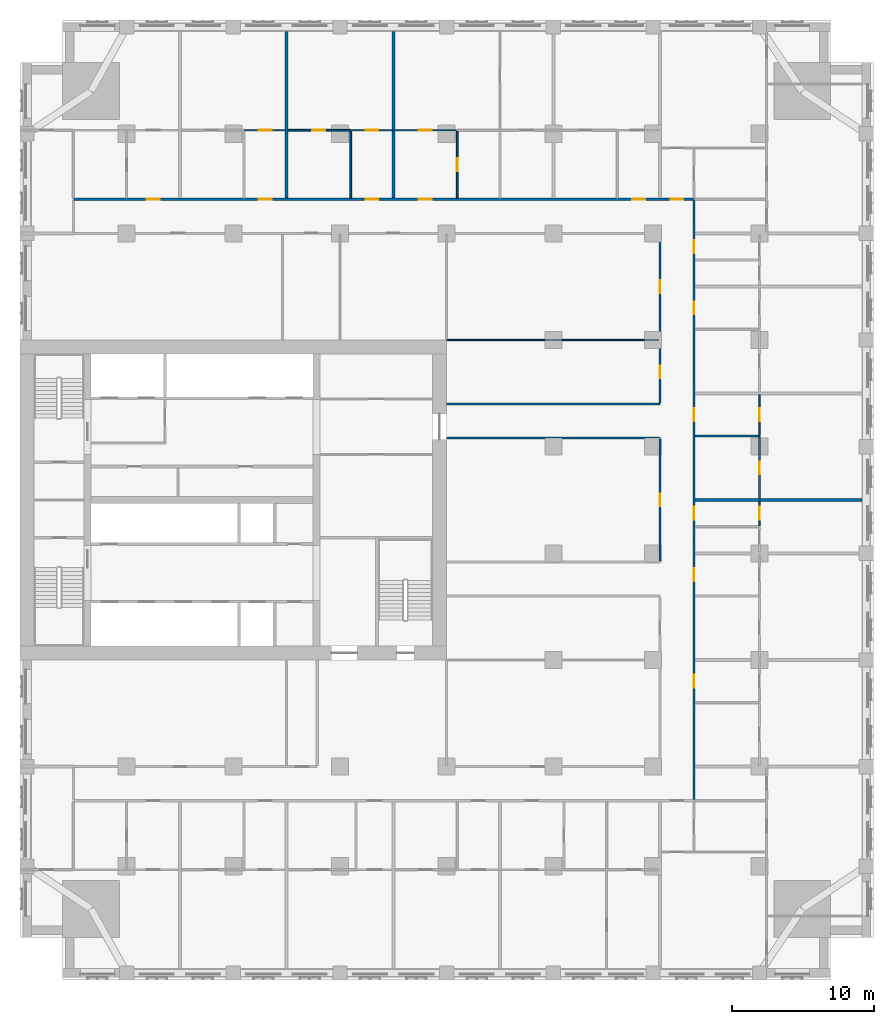
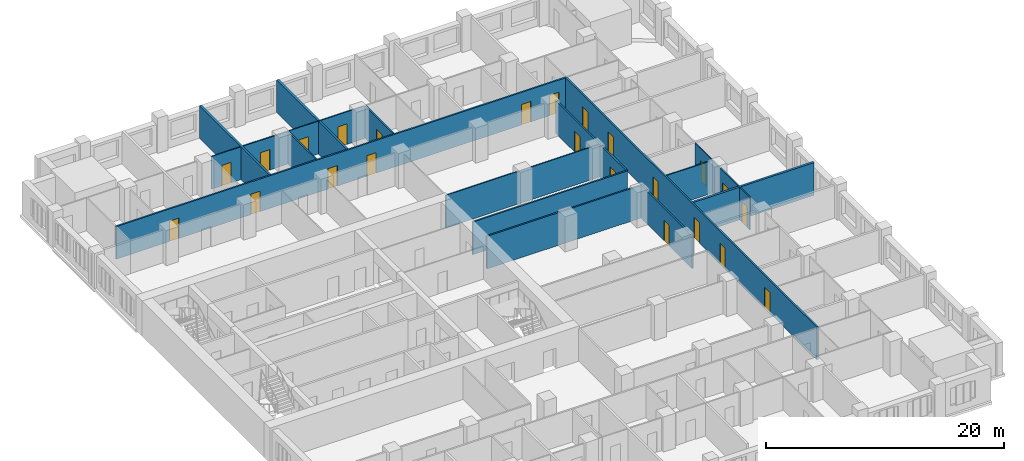
# One storey, part 9 of 14: 23 doors, 19 walls, 23 openings.
"""IFC4 building model written with IfcOpenShell, lengths in metres."""

import ifcopenshell
import ifcopenshell.guid

model = None  # the IFC model being written
_history = None  # IfcOwnerHistory: only IFC2X3 demands one
_inside = {}  # id of a spatial element -> (the spatial element, [elements in it])
_under = {}  # id of a project, library or spatial element -> (it, [spatial elements below it])
_declared = {}  # id of a project -> (the project, [libraries it declares])
_typed = {}  # id of a type object -> (the type object, [elements of that type])
_made_of = {}  # id of a material, layer set ... -> (it, [elements and type objects made of it])


def new_model(schema):
    """Start an empty IFC model of exactly this schema.

    Asked for "IFC4X3", IfcOpenShell would pick the latest addendum, in which some entities
    have other attributes; the version numbers below select the first issue.
    IFC2X3 requires an IfcOwnerHistory on every rooted entity: one is made here for all.
    """
    global model, _history
    if schema == "IFC4X3":
        model = ifcopenshell.file(schema_version=(4, 3, 0, 0))
    else:
        model = ifcopenshell.file(schema=schema)
    _inside.clear()
    _under.clear()
    _declared.clear()
    _typed.clear()
    _made_of.clear()
    _history = None
    if model.schema == "IFC2X3":
        org = make("IfcOrganization", Name="unknown")
        user = make(
            "IfcPersonAndOrganization",
            ThePerson=make("IfcPerson", FamilyName="unknown"),
            TheOrganization=org,
        )
        app = make(
            "IfcApplication",
            ApplicationDeveloper=org,
            Version="unknown",
            ApplicationFullName="unknown",
            ApplicationIdentifier="unknown",
        )
        _history = make(
            "IfcOwnerHistory",
            OwningUser=user,
            OwningApplication=app,
            ChangeAction="ADDED",
            CreationDate=0,
        )
    return model


def make(cls, **values):
    """One entity of the class cls with the attributes given. An attribute that is None is left unset."""
    return model.create_entity(
        cls, **{name: value for name, value in values.items() if value is not None}
    )


def rooted(cls, **values):
    """An entity with a GlobalId (a new one), such as an element, a storey or a relation."""
    return make(cls, GlobalId=ifcopenshell.guid.new(), OwnerHistory=_history, **values)


def si_unit(unit_type, name, prefix=None):
    """IfcSIUnit, for example si_unit("LENGTHUNIT", "METRE", prefix="MILLI")."""
    return make("IfcSIUnit", UnitType=unit_type, Prefix=prefix, Name=name)


def assignment(units):
    """IfcUnitAssignment: the units of a project."""
    return None if units is None else make("IfcUnitAssignment", Units=units)


def point(xyz):
    """IfcCartesianPoint."""
    return None if xyz is None else make("IfcCartesianPoint", Coordinates=xyz)


def direction(xyz):
    """IfcDirection."""
    return None if xyz is None else make("IfcDirection", DirectionRatios=xyz)


def frame(location, z_axis=None, x_axis=None):
    """IfcAxis2Placement3D, a coordinate frame: its origin and axes. An axis left out is left unset."""
    return make(
        "IfcAxis2Placement3D",
        Location=point(location),
        Axis=direction(z_axis),
        RefDirection=direction(x_axis),
    )


def frame_2d(location, x_axis=None):
    """IfcAxis2Placement2D, a coordinate frame in the plane: its origin and x axis."""
    return make(
        "IfcAxis2Placement2D", Location=point(location), RefDirection=direction(x_axis)
    )


def origin():
    """The frame at (0, 0, 0) with its axes left unset."""
    return frame((0.0, 0.0, 0.0))


def place(relative_to, where):
    """IfcLocalPlacement: puts the frame where relative to a parent placement (None: the world)."""
    return make(
        "IfcLocalPlacement", PlacementRelTo=relative_to, RelativePlacement=where
    )


def context(
    kind, dimensions, precision=None, world=None, true_north=None, identifier=None
):
    """IfcGeometricRepresentationContext, for example the 3D "Model" context."""
    return make(
        "IfcGeometricRepresentationContext",
        ContextIdentifier=identifier,
        ContextType=kind,
        CoordinateSpaceDimension=dimensions,
        Precision=precision,
        WorldCoordinateSystem=world,
        TrueNorth=true_north,
    )


def subcontext(parent, identifier, kind, view, scale=None):
    """IfcGeometricRepresentationSubContext, for example "Body" below "Model"."""
    return make(
        "IfcGeometricRepresentationSubContext",
        ContextIdentifier=identifier,
        ContextType=kind,
        ParentContext=parent,
        TargetScale=scale,
        TargetView=view,
    )


def project(units=None, contexts=None):
    """IfcProject with its units and contexts."""
    return rooted(
        "IfcProject",
        Name="project",
        RepresentationContexts=contexts,
        UnitsInContext=assignment(units),
    )


def spatial(cls, under=None, at=None, **own):
    """A site, building, storey or space (cls), placed at a placement, below another one or the project."""
    s = rooted(cls, ObjectPlacement=at, **own)
    if under is not None:
        _under.setdefault(under.id(), (under, []))[1].append(s)
    return s


def profile(cls, at=None, kind="AREA", **sizes):
    """A parametric profile (cls). Its sizes go by their IFC names, for example OverallWidth=200.0."""
    return make(cls, ProfileType=kind, Position=at, **sizes)


def rectangle(**sizes):
    """IfcRectangleProfileDef."""
    return profile("IfcRectangleProfileDef", **sizes)


def extrude(swept, where, along, depth):
    """IfcExtrudedAreaSolid: the profile swept, set in the frame where, extruded along a direction by depth."""
    return make(
        "IfcExtrudedAreaSolid",
        SweptArea=swept,
        Position=where,
        ExtrudedDirection=direction(along),
        Depth=depth,
    )


def shape(context_of_items, identifier, shape_type, items):
    """IfcShapeRepresentation: the items that make up one representation, for example the "Body"."""
    return make(
        "IfcShapeRepresentation",
        ContextOfItems=context_of_items,
        RepresentationIdentifier=identifier,
        RepresentationType=shape_type,
        Items=items,
    )


def material(Name=None, Category=None):
    """IfcMaterial."""
    return make("IfcMaterial", Name=Name, Category=Category)


def layer(
    of_material, thickness, ventilated=None, Name=None, Category=None, Priority=None
):
    """IfcMaterialLayer: one layer of a wall or slab, of a material (None: an air gap)."""
    return make(
        "IfcMaterialLayer",
        Material=of_material,
        LayerThickness=thickness,
        IsVentilated=ventilated,
        Name=Name,
        Category=Category,
        Priority=Priority,
    )


def layer_set(layers, Name=None):
    """IfcMaterialLayerSet."""
    return make("IfcMaterialLayerSet", MaterialLayers=layers, LayerSetName=Name)


def made_of(thing, what):
    """Note that an element or type object is made of a material, layer set ...; save() writes the relation."""
    if what is not None:
        _made_of.setdefault(what.id(), (what, []))[1].append(thing)
    return thing


def type_object(cls, material=None, **own):
    """A type object (cls), such as IfcWallType, which elements share."""
    return made_of(rooted(cls, **own), material)


def element(
    cls,
    number,
    at=None,
    inside=None,
    cuts=None,
    type_object=None,
    material=None,
    context=None,
    identifier="Body",
    shape_type=None,
    held_by="IfcProductDefinitionShape",
    body=None,
    shapes=None,
    **own,
):
    """One element of the class cls, such as IfcWall. Its Tag is "e" and its number.

    at: its placement. inside: the storey or other place that contains it. cuts: it is an
    opening in that element (IfcRelVoidsElement). A single representation is given by context,
    identifier, shape_type and body (its items); several are given by shapes. held_by: the class
    of the entity that holds the representations. save() writes the other relations.
    """
    e = rooted(cls, Tag="e%d" % number, ObjectPlacement=at, **own)
    if body is not None:
        shapes = [shape(context, identifier, shape_type, body)]
    if shapes is not None:
        e.Representation = make(held_by, Representations=shapes)
    if inside is not None:
        _inside.setdefault(inside.id(), (inside, []))[1].append(e)
    if cuts is not None:
        rooted(
            "IfcRelVoidsElement", RelatingBuildingElement=cuts, RelatedOpeningElement=e
        )
    if type_object is not None:
        _typed.setdefault(type_object.id(), (type_object, []))[1].append(e)
    return made_of(e, material)


def fill(opening, filler):
    """IfcRelFillsElement: the door or window that sits in an opening."""
    return rooted(
        "IfcRelFillsElement",
        RelatingOpeningElement=opening,
        RelatedBuildingElement=filler,
    )


def aggregate(whole, parts):
    """IfcRelAggregates: a whole, such as a stair, and the parts it consists of."""
    return rooted("IfcRelAggregates", RelatingObject=whole, RelatedObjects=parts)


def save(model, path):
    """Write the relations noted so far, then the file.

    IfcRelAggregates (storeys below a building ...), IfcRelContainedInSpatialStructure (elements
    in a storey), IfcRelDefinesByType, IfcRelAssociatesMaterial and IfcRelDeclares: one each for
    every whole, place, type object, material and project.
    """
    for whole, parts in _under.values():
        aggregate(whole, parts)
    for where, things in _inside.values():
        rooted(
            "IfcRelContainedInSpatialStructure",
            RelatedElements=things,
            RelatingStructure=where,
        )
    for kind, things in _typed.values():
        rooted("IfcRelDefinesByType", RelatedObjects=things, RelatingType=kind)
    for what, things in _made_of.values():
        rooted("IfcRelAssociatesMaterial", RelatedObjects=things, RelatingMaterial=what)
    for by, libraries in _declared.values():
        rooted("IfcRelDeclares", RelatingContext=by, RelatedDefinitions=libraries)
    model.write(path)


model = new_model("IFC4")

# Units and contexts
model_context = context("Model", 3, precision=1e-05, world=origin(), true_north=direction((0.0, 1.0)))
body_context = subcontext(model_context, "Body", "Model", "MODEL_VIEW")
ifc_project = project(units=[si_unit("LENGTHUNIT", "METRE"), si_unit("AREAUNIT", "SQUARE_METRE"), si_unit("VOLUMEUNIT", "CUBIC_METRE"), si_unit("PLANEANGLEUNIT", "RADIAN"), si_unit("MASSUNIT", "GRAM", prefix="KILO")], contexts=[model_context])

# Site, building, storey
site_placement = place(None, origin())
site = spatial("IfcSite", under=ifc_project, at=site_placement, CompositionType="ELEMENT")
building_placement = place(site_placement, origin())
building = spatial("IfcBuilding", under=site, at=building_placement, Name="Tamorin Gate", CompositionType="ELEMENT")
storey_placement = place(building_placement, frame((0.0, 0.0, 37.60009765625)))
storey = spatial("IfcBuildingStorey", under=building, at=storey_placement, Name="L07", CompositionType="ELEMENT", Elevation=37.60009765625)

# Wall, openings, doors
ifc_material_1 = material(Name="Gypsum board partition")
ifc_layer_1 = layer(ifc_material_1, 0.14990234375)
ifc_layer_set_1 = layer_set([ifc_layer_1], Name="Corridor wall 150")
wall_type_1 = type_object("IfcWallType", Name="Corridor wall 150", PredefinedType="PARTITIONING", material=ifc_layer_set_1)
wall_1_placement = place(storey_placement, frame((33.75, 92.39990234375, 0.0), z_axis=(0.0, 0.0, 1.0), x_axis=(1.0, 0.0, 0.0)))
wall_1 = element("IfcWall", 1, at=wall_1_placement, inside=storey, type_object=wall_type_1, Name="Corridor wall 150", PredefinedType="PARTITIONING", context=body_context, shape_type="SweptSolid", body=[
    extrude(rectangle(XDim=43.64990234375, YDim=0.14990234375, at=frame_2d((21.824951171875, 0.0))), origin(), (0.0, 0.0, 1.0), 3.349853515625),
])
opening_1_placement = place(wall_1_placement, frame((5.175048828125, 0.0, 0.0)))
opening_1 = element("IfcOpeningElement", 2, at=opening_1_placement, cuts=wall_1, Name="Opening DH2021", PredefinedType="OPENING", context=body_context, shape_type="SweptSolid", body=[
    extrude(rectangle(XDim=0.89990234375, YDim=2.10009765625, at=frame_2d((0.449951171875, 1.050048828125))), frame((0.0, 0.0849609375, 0.0), z_axis=(0.0, -1.0, 0.0), x_axis=(1.0, 0.0, 0.0)), (0.0, 0.0, 1.0), 0.169921875),
])
opening_2_placement = place(wall_1_placement, frame((13.050048828125, 0.0, 0.0)))
opening_2 = element("IfcOpeningElement", 3, at=opening_2_placement, cuts=wall_1, Name="Opening DH2024", PredefinedType="OPENING", context=body_context, shape_type="SweptSolid", body=[
    extrude(rectangle(XDim=0.89990234375, YDim=2.10009765625, at=frame_2d((0.449951171875, 1.050048828125))), frame((0.0, 0.0849609375, 0.0), z_axis=(0.0, -1.0, 0.0), x_axis=(1.0, 0.0, 0.0)), (0.0, 0.0, 1.0), 0.169921875),
])
opening_3_placement = place(wall_1_placement, frame((20.550048828125, 0.0, 0.0)))
opening_3 = element("IfcOpeningElement", 4, at=opening_3_placement, cuts=wall_1, Name="Opening DH2027", PredefinedType="OPENING", context=body_context, shape_type="SweptSolid", body=[
    extrude(rectangle(XDim=0.89990234375, YDim=2.10009765625, at=frame_2d((0.449951171875, 1.050048828125))), frame((0.0, 0.0849609375, 0.0), z_axis=(0.0, -1.0, 0.0), x_axis=(1.0, 0.0, 0.0)), (0.0, 0.0, 1.0), 0.169921875),
])
opening_4_placement = place(wall_1_placement, frame((24.300048828125, 0.0, 0.0)))
opening_4 = element("IfcOpeningElement", 5, at=opening_4_placement, cuts=wall_1, Name="Opening DH2029", PredefinedType="OPENING", context=body_context, shape_type="SweptSolid", body=[
    extrude(rectangle(XDim=0.89990234375, YDim=2.10009765625, at=frame_2d((0.449951171875, 1.050048828125))), frame((0.0, 0.0849609375, 0.0), z_axis=(0.0, -1.0, 0.0), x_axis=(1.0, 0.0, 0.0)), (0.0, 0.0, 1.0), 0.169921875),
])
opening_5_placement = place(wall_1_placement, frame((39.300048828125, 0.0, 0.0)))
opening_5 = element("IfcOpeningElement", 6, at=opening_5_placement, cuts=wall_1, Name="Opening DH2035", PredefinedType="OPENING", context=body_context, shape_type="SweptSolid", body=[
    extrude(rectangle(XDim=0.89990234375, YDim=2.10009765625, at=frame_2d((0.449951171875, 1.050048828125))), frame((0.0, 0.0849609375, 0.0), z_axis=(0.0, -1.0, 0.0), x_axis=(1.0, 0.0, 0.0)), (0.0, 0.0, 1.0), 0.169921875),
])
opening_6_placement = place(wall_1_placement, frame((42.0, 0.0, 0.0)))
opening_6 = element("IfcOpeningElement", 7, at=opening_6_placement, cuts=wall_1, Name="Opening DH2061", PredefinedType="OPENING", context=body_context, shape_type="SweptSolid", body=[
    extrude(rectangle(XDim=0.89990234375, YDim=2.10009765625, at=frame_2d((0.449951171875, 1.050048828125))), frame((0.0, 0.0849609375, 0.0), z_axis=(0.0, -1.0, 0.0), x_axis=(1.0, 0.0, 0.0)), (0.0, 0.0, 1.0), 0.169921875),
])
ifc_material_2 = material(Name="Timber door leaf", Category="wood")
door_type_1 = type_object("IfcDoorType", Name="Door 900 x 2100 FD30S", OperationType="NOTDEFINED", PredefinedType="DOOR", material=ifc_material_2)
door_1_placement = place(opening_1_placement, origin())
door_1 = element("IfcDoor", 8, at=door_1_placement, inside=storey, type_object=door_type_1, Name="Door DH2021", OperationType="SINGLE_SWING_LEFT", OverallHeight=2.10009765625, OverallWidth=0.89990234375, PredefinedType="DOOR", context=body_context, shape_type="SweptSolid", body=[
    extrude(rectangle(XDim=0.89990234375, YDim=2.10009765625, at=frame_2d((0.449951171875, 1.050048828125))), frame((0.0, 0.02490234375, 0.0), z_axis=(0.0, -1.0, 0.0), x_axis=(1.0, 0.0, 0.0)), (0.0, 0.0, 1.0), 0.050048828125),
])
fill(opening_1, door_1)
door_2_placement = place(opening_2_placement, origin())
door_2 = element("IfcDoor", 9, at=door_2_placement, inside=storey, type_object=door_type_1, Name="Door DH2024", OperationType="SINGLE_SWING_LEFT", OverallHeight=2.10009765625, OverallWidth=0.89990234375, PredefinedType="DOOR", context=body_context, shape_type="SweptSolid", body=[
    extrude(rectangle(XDim=0.89990234375, YDim=2.10009765625, at=frame_2d((0.449951171875, 1.050048828125))), frame((0.0, 0.02490234375, 0.0), z_axis=(0.0, -1.0, 0.0), x_axis=(1.0, 0.0, 0.0)), (0.0, 0.0, 1.0), 0.050048828125),
])
fill(opening_2, door_2)
door_3_placement = place(opening_3_placement, origin())
door_3 = element("IfcDoor", 10, at=door_3_placement, inside=storey, type_object=door_type_1, Name="Door DH2027", OperationType="SINGLE_SWING_LEFT", OverallHeight=2.10009765625, OverallWidth=0.89990234375, PredefinedType="DOOR", context=body_context, shape_type="SweptSolid", body=[
    extrude(rectangle(XDim=0.89990234375, YDim=2.10009765625, at=frame_2d((0.449951171875, 1.050048828125))), frame((0.0, 0.02490234375, 0.0), z_axis=(0.0, -1.0, 0.0), x_axis=(1.0, 0.0, 0.0)), (0.0, 0.0, 1.0), 0.050048828125),
])
fill(opening_3, door_3)
door_4_placement = place(opening_4_placement, origin())
door_4 = element("IfcDoor", 11, at=door_4_placement, inside=storey, type_object=door_type_1, Name="Door DH2029", OperationType="SINGLE_SWING_LEFT", OverallHeight=2.10009765625, OverallWidth=0.89990234375, PredefinedType="DOOR", context=body_context, shape_type="SweptSolid", body=[
    extrude(rectangle(XDim=0.89990234375, YDim=2.10009765625, at=frame_2d((0.449951171875, 1.050048828125))), frame((0.0, 0.02490234375, 0.0), z_axis=(0.0, -1.0, 0.0), x_axis=(1.0, 0.0, 0.0)), (0.0, 0.0, 1.0), 0.050048828125),
])
fill(opening_4, door_4)
door_5_placement = place(opening_5_placement, origin())
door_5 = element("IfcDoor", 12, at=door_5_placement, inside=storey, type_object=door_type_1, Name="Door DH2035", OperationType="SINGLE_SWING_LEFT", OverallHeight=2.10009765625, OverallWidth=0.89990234375, PredefinedType="DOOR", context=body_context, shape_type="SweptSolid", body=[
    extrude(rectangle(XDim=0.89990234375, YDim=2.10009765625, at=frame_2d((0.449951171875, 1.050048828125))), frame((0.0, 0.02490234375, 0.0), z_axis=(0.0, -1.0, 0.0), x_axis=(1.0, 0.0, 0.0)), (0.0, 0.0, 1.0), 0.050048828125),
])
fill(opening_5, door_5)
door_6_placement = place(opening_6_placement, origin())
door_6 = element("IfcDoor", 13, at=door_6_placement, inside=storey, type_object=door_type_1, Name="Door DH2061", OperationType="SINGLE_SWING_RIGHT", OverallHeight=2.10009765625, OverallWidth=0.89990234375, PredefinedType="DOOR", context=body_context, shape_type="SweptSolid", body=[
    extrude(rectangle(XDim=0.89990234375, YDim=2.10009765625, at=frame_2d((0.449951171875, 1.050048828125))), frame((0.0, 0.02490234375, 0.0), z_axis=(0.0, -1.0, 0.0), x_axis=(1.0, 0.0, 0.0)), (0.0, 0.0, 1.0), 0.050048828125),
])
fill(opening_6, door_6)

# Wall, opening, door
wall_2_placement = place(storey_placement, frame((75.0, 66.97509765625, 0.0), z_axis=(0.0, 0.0, 1.0), x_axis=(0.0, 1.0, 0.0)))
wall_2 = element("IfcWall", 14, at=wall_2_placement, inside=storey, type_object=wall_type_1, Name="Corridor wall 150", PredefinedType="PARTITIONING", context=body_context, shape_type="SweptSolid", body=[
    extrude(rectangle(XDim=8.5498046875, YDim=0.14990234375, at=frame_2d((4.27490234375, 0.0))), origin(), (0.0, 0.0, 1.0), 3.349853515625),
])
opening_7_placement = place(wall_2_placement, frame((3.824951171875, 0.0, 0.0)))
opening_7 = element("IfcOpeningElement", 15, at=opening_7_placement, cuts=wall_2, Name="Opening DH2075", PredefinedType="OPENING", context=body_context, shape_type="SweptSolid", body=[
    extrude(rectangle(XDim=0.89990234375, YDim=2.10009765625, at=frame_2d((0.449951171875, 1.050048828125))), frame((0.0, 0.0849609375, 0.0), z_axis=(0.0, -1.0, 0.0), x_axis=(1.0, 0.0, 0.0)), (0.0, 0.0, 1.0), 0.169921875),
])
door_7_placement = place(opening_7_placement, origin())
door_7 = element("IfcDoor", 16, at=door_7_placement, inside=storey, type_object=door_type_1, Name="Door DH2075", OperationType="SINGLE_SWING_LEFT", OverallHeight=2.10009765625, OverallWidth=0.89990234375, PredefinedType="DOOR", context=body_context, shape_type="SweptSolid", body=[
    extrude(rectangle(XDim=0.89990234375, YDim=2.10009765625, at=frame_2d((0.449951171875, 1.050048828125))), frame((0.0, 0.02490234375, 0.0), z_axis=(0.0, -1.0, 0.0), x_axis=(1.0, 0.0, 0.0)), (0.0, 0.0, 1.0), 0.050048828125),
])
fill(opening_7, door_7)

# Wall, openings, doors
wall_3_placement = place(storey_placement, frame((75.0, 78.074951171875, 0.0), z_axis=(0.0, 0.0, 1.0), x_axis=(0.0, 1.0, 0.0)))
wall_3 = element("IfcWall", 17, at=wall_3_placement, inside=storey, type_object=wall_type_1, Name="Corridor wall 150", PredefinedType="PARTITIONING", context=body_context, shape_type="SweptSolid", body=[
    extrude(rectangle(XDim=11.85009765625, YDim=0.14990234375, at=frame_2d((5.925048828125, 0.0))), origin(), (0.0, 0.0, 1.0), 3.349853515625),
])
opening_8_placement = place(wall_3_placement, frame((7.72509765625, 0.0, 0.0)))
opening_8 = element("IfcOpeningElement", 18, at=opening_8_placement, cuts=wall_3, Name="Opening DH2073", PredefinedType="OPENING", context=body_context, shape_type="SweptSolid", body=[
    extrude(rectangle(XDim=0.89990234375, YDim=2.10009765625, at=frame_2d((0.449951171875, 1.050048828125))), frame((0.0, 0.0849609375, 0.0), z_axis=(0.0, -1.0, 0.0), x_axis=(1.0, 0.0, 0.0)), (0.0, 0.0, 1.0), 0.169921875),
])
opening_9_placement = place(wall_3_placement, frame((1.72509765625, 0.0, 0.0)))
opening_9 = element("IfcOpeningElement", 19, at=opening_9_placement, cuts=wall_3, Name="Opening DH2076", PredefinedType="OPENING", context=body_context, shape_type="SweptSolid", body=[
    extrude(rectangle(XDim=0.89990234375, YDim=2.10009765625, at=frame_2d((0.449951171875, 1.050048828125))), frame((0.0, 0.0849609375, 0.0), z_axis=(0.0, -1.0, 0.0), x_axis=(1.0, 0.0, 0.0)), (0.0, 0.0, 1.0), 0.169921875),
])
door_8_placement = place(opening_8_placement, origin())
door_8 = element("IfcDoor", 20, at=door_8_placement, inside=storey, type_object=door_type_1, Name="Door DH2073", OperationType="SINGLE_SWING_LEFT", OverallHeight=2.10009765625, OverallWidth=0.89990234375, PredefinedType="DOOR", context=body_context, shape_type="SweptSolid", body=[
    extrude(rectangle(XDim=0.89990234375, YDim=2.10009765625, at=frame_2d((0.449951171875, 1.050048828125))), frame((0.0, 0.02490234375, 0.0), z_axis=(0.0, -1.0, 0.0), x_axis=(1.0, 0.0, 0.0)), (0.0, 0.0, 1.0), 0.050048828125),
])
fill(opening_8, door_8)
door_9_placement = place(opening_9_placement, origin())
door_9 = element("IfcDoor", 21, at=door_9_placement, inside=storey, type_object=door_type_1, Name="Door DH2076", OperationType="SINGLE_SWING_LEFT", OverallHeight=2.10009765625, OverallWidth=0.89990234375, PredefinedType="DOOR", context=body_context, shape_type="SweptSolid", body=[
    extrude(rectangle(XDim=0.89990234375, YDim=2.10009765625, at=frame_2d((0.449951171875, 1.050048828125))), frame((0.0, 0.02490234375, 0.0), z_axis=(0.0, -1.0, 0.0), x_axis=(1.0, 0.0, 0.0)), (0.0, 0.0, 1.0), 0.050048828125),
])
fill(opening_9, door_9)

wall_4_placement = place(storey_placement, frame((77.39990234375, 50.175048828125, 0.0), z_axis=(0.0, 0.0, 1.0), x_axis=(0.0, 1.0, 0.0)))
wall_4 = element("IfcWall", 22, at=wall_4_placement, inside=storey, type_object=wall_type_1, Name="Corridor wall 150", PredefinedType="PARTITIONING", context=body_context, shape_type="SweptSolid", body=[
    extrude(rectangle(XDim=42.14990234375, YDim=0.14990234375, at=frame_2d((21.074951171875, 0.0))), origin(), (0.0, 0.0, 1.0), 3.349853515625),
])
opening_10_placement = place(wall_4_placement, frame((7.875, 0.0, 0.0)))
opening_10 = element("IfcOpeningElement", 23, at=opening_10_placement, cuts=wall_4, Name="Opening DH2038", PredefinedType="OPENING", context=body_context, shape_type="SweptSolid", body=[
    extrude(rectangle(XDim=0.89990234375, YDim=2.10009765625, at=frame_2d((0.449951171875, 1.050048828125))), frame((0.0, 0.0849609375, 0.0), z_axis=(0.0, -1.0, 0.0), x_axis=(1.0, 0.0, 0.0)), (0.0, 0.0, 1.0), 0.169921875),
])
opening_11_placement = place(wall_4_placement, frame((15.375, 0.0, 0.0)))
opening_11 = element("IfcOpeningElement", 24, at=opening_11_placement, cuts=wall_4, Name="Opening DH2041", PredefinedType="OPENING", context=body_context, shape_type="SweptSolid", body=[
    extrude(rectangle(XDim=0.89990234375, YDim=2.10009765625, at=frame_2d((0.449951171875, 1.050048828125))), frame((0.0, 0.0849609375, 0.0), z_axis=(0.0, -1.0, 0.0), x_axis=(1.0, 0.0, 0.0)), (0.0, 0.0, 1.0), 0.169921875),
])
opening_12_placement = place(wall_4_placement, frame((19.6875, 0.0, 0.0)))
opening_12 = element("IfcOpeningElement", 25, at=opening_12_placement, cuts=wall_4, Name="Opening DH2044", PredefinedType="OPENING", context=body_context, shape_type="SweptSolid", body=[
    extrude(rectangle(XDim=0.89990234375, YDim=2.10009765625, at=frame_2d((0.449951171875, 1.050048828125))), frame((0.0, 0.0849609375, 0.0), z_axis=(0.0, -1.0, 0.0), x_axis=(1.0, 0.0, 0.0)), (0.0, 0.0, 1.0), 0.169921875),
])
opening_13_placement = place(wall_4_placement, frame((26.625, 0.0, 0.0)))
opening_13 = element("IfcOpeningElement", 26, at=opening_13_placement, cuts=wall_4, Name="Opening DH2047", PredefinedType="OPENING", context=body_context, shape_type="SweptSolid", body=[
    extrude(rectangle(XDim=0.89990234375, YDim=2.10009765625, at=frame_2d((0.449951171875, 1.050048828125))), frame((0.0, 0.0849609375, 0.0), z_axis=(0.0, -1.0, 0.0), x_axis=(1.0, 0.0, 0.0)), (0.0, 0.0, 1.0), 0.169921875),
])
opening_14_placement = place(wall_4_placement, frame((34.125, 0.0, 0.0)))
opening_14 = element("IfcOpeningElement", 27, at=opening_14_placement, cuts=wall_4, Name="Opening DH2050", PredefinedType="OPENING", context=body_context, shape_type="SweptSolid", body=[
    extrude(rectangle(XDim=0.89990234375, YDim=2.10009765625, at=frame_2d((0.449951171875, 1.050048828125))), frame((0.0, 0.0849609375, 0.0), z_axis=(0.0, -1.0, 0.0), x_axis=(1.0, 0.0, 0.0)), (0.0, 0.0, 1.0), 0.169921875),
])
opening_15_placement = place(wall_4_placement, frame((38.4375, 0.0, 0.0)))
opening_15 = element("IfcOpeningElement", 28, at=opening_15_placement, cuts=wall_4, Name="Opening DH2053", PredefinedType="OPENING", context=body_context, shape_type="SweptSolid", body=[
    extrude(rectangle(XDim=0.89990234375, YDim=2.10009765625, at=frame_2d((0.449951171875, 1.050048828125))), frame((0.0, 0.0849609375, 0.0), z_axis=(0.0, -1.0, 0.0), x_axis=(1.0, 0.0, 0.0)), (0.0, 0.0, 1.0), 0.169921875),
])
door_10_placement = place(opening_10_placement, origin())
door_10 = element("IfcDoor", 29, at=door_10_placement, inside=storey, type_object=door_type_1, Name="Door DH2038", OperationType="SINGLE_SWING_RIGHT", OverallHeight=2.10009765625, OverallWidth=0.89990234375, PredefinedType="DOOR", context=body_context, shape_type="SweptSolid", body=[
    extrude(rectangle(XDim=0.89990234375, YDim=2.10009765625, at=frame_2d((0.449951171875, 1.050048828125))), frame((0.0, 0.02490234375, 0.0), z_axis=(0.0, -1.0, 0.0), x_axis=(1.0, 0.0, 0.0)), (0.0, 0.0, 1.0), 0.050048828125),
])
fill(opening_10, door_10)
door_11_placement = place(opening_11_placement, origin())
door_11 = element("IfcDoor", 30, at=door_11_placement, inside=storey, type_object=door_type_1, Name="Door DH2041", OperationType="SINGLE_SWING_RIGHT", OverallHeight=2.10009765625, OverallWidth=0.89990234375, PredefinedType="DOOR", context=body_context, shape_type="SweptSolid", body=[
    extrude(rectangle(XDim=0.89990234375, YDim=2.10009765625, at=frame_2d((0.449951171875, 1.050048828125))), frame((0.0, 0.02490234375, 0.0), z_axis=(0.0, -1.0, 0.0), x_axis=(1.0, 0.0, 0.0)), (0.0, 0.0, 1.0), 0.050048828125),
])
fill(opening_11, door_11)
door_12_placement = place(opening_12_placement, origin())
door_12 = element("IfcDoor", 31, at=door_12_placement, inside=storey, type_object=door_type_1, Name="Door DH2044", OperationType="SINGLE_SWING_RIGHT", OverallHeight=2.10009765625, OverallWidth=0.89990234375, PredefinedType="DOOR", context=body_context, shape_type="SweptSolid", body=[
    extrude(rectangle(XDim=0.89990234375, YDim=2.10009765625, at=frame_2d((0.449951171875, 1.050048828125))), frame((0.0, 0.02490234375, 0.0), z_axis=(0.0, -1.0, 0.0), x_axis=(1.0, 0.0, 0.0)), (0.0, 0.0, 1.0), 0.050048828125),
])
fill(opening_12, door_12)
door_13_placement = place(opening_13_placement, origin())
door_13 = element("IfcDoor", 32, at=door_13_placement, inside=storey, type_object=door_type_1, Name="Door DH2047", OperationType="SINGLE_SWING_RIGHT", OverallHeight=2.10009765625, OverallWidth=0.89990234375, PredefinedType="DOOR", context=body_context, shape_type="SweptSolid", body=[
    extrude(rectangle(XDim=0.89990234375, YDim=2.10009765625, at=frame_2d((0.449951171875, 1.050048828125))), frame((0.0, 0.02490234375, 0.0), z_axis=(0.0, -1.0, 0.0), x_axis=(1.0, 0.0, 0.0)), (0.0, 0.0, 1.0), 0.050048828125),
])
fill(opening_13, door_13)
door_14_placement = place(opening_14_placement, origin())
door_14 = element("IfcDoor", 33, at=door_14_placement, inside=storey, type_object=door_type_1, Name="Door DH2050", OperationType="SINGLE_SWING_RIGHT", OverallHeight=2.10009765625, OverallWidth=0.89990234375, PredefinedType="DOOR", context=body_context, shape_type="SweptSolid", body=[
    extrude(rectangle(XDim=0.89990234375, YDim=2.10009765625, at=frame_2d((0.449951171875, 1.050048828125))), frame((0.0, 0.02490234375, 0.0), z_axis=(0.0, -1.0, 0.0), x_axis=(1.0, 0.0, 0.0)), (0.0, 0.0, 1.0), 0.050048828125),
])
fill(opening_14, door_14)
door_15_placement = place(opening_15_placement, origin())
door_15 = element("IfcDoor", 34, at=door_15_placement, inside=storey, type_object=door_type_1, Name="Door DH2053", OperationType="SINGLE_SWING_RIGHT", OverallHeight=2.10009765625, OverallWidth=0.89990234375, PredefinedType="DOOR", context=body_context, shape_type="SweptSolid", body=[
    extrude(rectangle(XDim=0.89990234375, YDim=2.10009765625, at=frame_2d((0.449951171875, 1.050048828125))), frame((0.0, 0.02490234375, 0.0), z_axis=(0.0, -1.0, 0.0), x_axis=(1.0, 0.0, 0.0)), (0.0, 0.0, 1.0), 0.050048828125),
])
fill(opening_15, door_15)

# Walls
ifc_layer_2 = layer(ifc_material_1, 0.199951171875)
ifc_layer_set_2 = layer_set([ifc_layer_2], Name="Demising wall 200")
wall_type_2 = type_object("IfcWallType", Name="Demising wall 200", PredefinedType="PARTITIONING", material=ifc_layer_set_2)
for number, where, z_axis, x_axis, name in (
    (35, (77.47509765625, 71.25, 0.0), (0.0, 0.0, 1.0), (1.0, 0.0, 0.0), "Demising wall 200"),
    (36, (48.75, 92.47509765625, 0.0), (0.0, 0.0, 1.0), (0.0, 1.0, 0.0), "Demising wall 200"),
    (37, (56.25, 92.47509765625, 0.0), (0.0, 0.0, 1.0), (0.0, 1.0, 0.0), "Demising wall 200"),
):
    element("IfcWall", number, at=place(storey_placement, frame(where, z_axis=z_axis, x_axis=x_axis)), inside=storey, type_object=wall_type_2, Name=name, PredefinedType="PARTITIONING", context=body_context, shape_type="SweptSolid", body=[
        extrude(rectangle(XDim=11.71484375, YDim=0.199951171875, at=frame_2d((5.857421875, 0.0))), origin(), (0.0, 0.0, 1.0), 3.349853515625),
    ])
ifc_layer_3 = layer(ifc_material_1, 0.14990234375)
ifc_layer_set_3 = layer_set([ifc_layer_3], Name="Lobby wall 150")
wall_type_3 = type_object("IfcWallType", Name="Lobby wall 150", PredefinedType="PARTITIONING", material=ifc_layer_set_3)
for number, where, z_axis, x_axis, name in (
    (38, (60.0, 75.60009765625, 0.0), (0.0, 0.0, 1.0), (1.0, 0.0, 0.0), "Lobby wall 150"),
    (39, (60.0, 78.0, 0.0), (0.0, 0.0, 1.0), (1.0, 0.0, 0.0), "Lobby wall 150"),
):
    element("IfcWall", number, at=place(storey_placement, frame(where, z_axis=z_axis, x_axis=x_axis)), inside=storey, type_object=wall_type_3, Name=name, PredefinedType="PARTITIONING", context=body_context, shape_type="SweptSolid", body=[
        extrude(rectangle(XDim=15.0, YDim=0.14990234375, at=frame_2d((7.5, 0.0))), origin(), (0.0, 0.0, 1.0), 3.349853515625),
    ])
ifc_layer_4 = layer(ifc_material_1, 0.10009765625)
ifc_layer_set_4 = layer_set([ifc_layer_4], Name="Room partition 100")
wall_type_4 = type_object("IfcWallType", Name="Room partition 100", PredefinedType="PARTITIONING", material=ifc_layer_set_4)
wall_5_placement = place(storey_placement, frame((60.0, 82.5, 0.0), z_axis=(0.0, 0.0, 1.0), x_axis=(1.0, 0.0, 0.0)))
element("IfcWall", 40, at=wall_5_placement, inside=storey, type_object=wall_type_4, Name="Room partition 100", PredefinedType="PARTITIONING", context=body_context, shape_type="SweptSolid", body=[
    extrude(rectangle(XDim=14.925048828125, YDim=0.10009765625, at=frame_2d((7.46240234375, 0.0))), origin(), (0.0, 0.0, 1.0), 3.349853515625),
])

# Wall, opening, door
wall_6_placement = place(storey_placement, frame((45.8125, 97.25, 0.0), z_axis=(0.0, 0.0, 1.0), x_axis=(1.0, 0.0, 0.0)))
wall_6 = element("IfcWall", 41, at=wall_6_placement, inside=storey, type_object=wall_type_4, Name="Room partition 100", PredefinedType="PARTITIONING", context=body_context, shape_type="SweptSolid", body=[
    extrude(rectangle(XDim=2.83740234375, YDim=0.10009765625, at=frame_2d((1.418701171875, 0.0))), origin(), (0.0, 0.0, 1.0), 3.349853515625),
])
opening_16_placement = place(wall_6_placement, frame((0.987548828125, 0.0, 0.0)))
opening_16 = element("IfcOpeningElement", 42, at=opening_16_placement, cuts=wall_6, Name="Opening DH2025", PredefinedType="OPENING", context=body_context, shape_type="SweptSolid", body=[
    extrude(rectangle(XDim=0.89990234375, YDim=2.10009765625, at=frame_2d((0.449951171875, 1.050048828125))), frame((0.0, 0.06005859375, 0.0), z_axis=(0.0, -1.0, 0.0), x_axis=(1.0, 0.0, 0.0)), (0.0, 0.0, 1.0), 0.1201171875),
])
door_type_2 = type_object("IfcDoorType", Name="Door 900 x 2100", OperationType="NOTDEFINED", PredefinedType="DOOR", material=ifc_material_2)
door_16_placement = place(opening_16_placement, origin())
door_16 = element("IfcDoor", 43, at=door_16_placement, inside=storey, type_object=door_type_2, Name="Door DH2025", OperationType="SINGLE_SWING_RIGHT", OverallHeight=2.10009765625, OverallWidth=0.89990234375, PredefinedType="DOOR", context=body_context, shape_type="SweptSolid", body=[
    extrude(rectangle(XDim=0.89990234375, YDim=2.10009765625, at=frame_2d((0.449951171875, 1.050048828125))), frame((0.0, 0.02490234375, 0.0), z_axis=(0.0, -1.0, 0.0), x_axis=(1.0, 0.0, 0.0)), (0.0, 0.0, 1.0), 0.050048828125),
])
fill(opening_16, door_16)

# Wall, openings, doors
wall_7_placement = place(storey_placement, frame((53.3125, 97.25, 0.0), z_axis=(0.0, 0.0, 1.0), x_axis=(1.0, 0.0, 0.0)))
wall_7 = element("IfcWall", 44, at=wall_7_placement, inside=storey, type_object=wall_type_4, Name="Room partition 100", PredefinedType="PARTITIONING", context=body_context, shape_type="SweptSolid", body=[
    extrude(rectangle(XDim=7.375, YDim=0.10009765625, at=frame_2d((3.6875, 0.0))), origin(), (0.0, 0.0, 1.0), 3.349853515625),
])
opening_17_placement = place(wall_7_placement, frame((0.987548828125, 0.0, 0.0)))
opening_17 = element("IfcOpeningElement", 45, at=opening_17_placement, cuts=wall_7, Name="Opening DH2028", PredefinedType="OPENING", context=body_context, shape_type="SweptSolid", body=[
    extrude(rectangle(XDim=0.89990234375, YDim=2.10009765625, at=frame_2d((0.449951171875, 1.050048828125))), frame((0.0, 0.06005859375, 0.0), z_axis=(0.0, -1.0, 0.0), x_axis=(1.0, 0.0, 0.0)), (0.0, 0.0, 1.0), 0.1201171875),
])
opening_18_placement = place(wall_7_placement, frame((4.737548828125, 0.0, 0.0)))
opening_18 = element("IfcOpeningElement", 46, at=opening_18_placement, cuts=wall_7, Name="Opening DH2030", PredefinedType="OPENING", context=body_context, shape_type="SweptSolid", body=[
    extrude(rectangle(XDim=0.89990234375, YDim=2.10009765625, at=frame_2d((0.449951171875, 1.050048828125))), frame((0.0, 0.06005859375, 0.0), z_axis=(0.0, -1.0, 0.0), x_axis=(1.0, 0.0, 0.0)), (0.0, 0.0, 1.0), 0.1201171875),
])
door_17_placement = place(opening_17_placement, origin())
door_17 = element("IfcDoor", 47, at=door_17_placement, inside=storey, type_object=door_type_2, Name="Door DH2028", OperationType="SINGLE_SWING_RIGHT", OverallHeight=2.10009765625, OverallWidth=0.89990234375, PredefinedType="DOOR", context=body_context, shape_type="SweptSolid", body=[
    extrude(rectangle(XDim=0.89990234375, YDim=2.10009765625, at=frame_2d((0.449951171875, 1.050048828125))), frame((0.0, 0.02490234375, 0.0), z_axis=(0.0, -1.0, 0.0), x_axis=(1.0, 0.0, 0.0)), (0.0, 0.0, 1.0), 0.050048828125),
])
fill(opening_17, door_17)
door_18_placement = place(opening_18_placement, origin())
door_18 = element("IfcDoor", 48, at=door_18_placement, inside=storey, type_object=door_type_2, Name="Door DH2030", OperationType="SINGLE_SWING_RIGHT", OverallHeight=2.10009765625, OverallWidth=0.89990234375, PredefinedType="DOOR", context=body_context, shape_type="SweptSolid", body=[
    extrude(rectangle(XDim=0.89990234375, YDim=2.10009765625, at=frame_2d((0.449951171875, 1.050048828125))), frame((0.0, 0.02490234375, 0.0), z_axis=(0.0, -1.0, 0.0), x_axis=(1.0, 0.0, 0.0)), (0.0, 0.0, 1.0), 0.050048828125),
])
fill(opening_18, door_18)

# Wall, opening, door
wall_8_placement = place(storey_placement, frame((82.0, 69.4375, 0.0), z_axis=(0.0, 0.0, 1.0), x_axis=(0.0, 1.0, 0.0)))
wall_8 = element("IfcWall", 49, at=wall_8_placement, inside=storey, type_object=wall_type_4, Name="Room partition 100", PredefinedType="PARTITIONING", context=body_context, shape_type="SweptSolid", body=[
    extrude(rectangle(XDim=1.71240234375, YDim=0.10009765625, at=frame_2d((0.856201171875, 0.0))), origin(), (0.0, 0.0, 1.0), 3.349853515625),
])
opening_19_placement = place(wall_8_placement, frame((0.425048828125, 0.0, 0.0)))
opening_19 = element("IfcOpeningElement", 50, at=opening_19_placement, cuts=wall_8, Name="Opening DH2045", PredefinedType="OPENING", context=body_context, shape_type="SweptSolid", body=[
    extrude(rectangle(XDim=0.89990234375, YDim=2.10009765625, at=frame_2d((0.449951171875, 1.050048828125))), frame((0.0, 0.06005859375, 0.0), z_axis=(0.0, -1.0, 0.0), x_axis=(1.0, 0.0, 0.0)), (0.0, 0.0, 1.0), 0.1201171875),
])
door_19_placement = place(opening_19_placement, origin())
door_19 = element("IfcDoor", 51, at=door_19_placement, inside=storey, type_object=door_type_2, Name="Door DH2045", OperationType="SINGLE_SWING_LEFT", OverallHeight=2.10009765625, OverallWidth=0.89990234375, PredefinedType="DOOR", context=body_context, shape_type="SweptSolid", body=[
    extrude(rectangle(XDim=0.89990234375, YDim=2.10009765625, at=frame_2d((0.449951171875, 1.050048828125))), frame((0.0, 0.02490234375, 0.0), z_axis=(0.0, -1.0, 0.0), x_axis=(1.0, 0.0, 0.0)), (0.0, 0.0, 1.0), 0.050048828125),
])
fill(opening_19, door_19)

wall_9_placement = place(storey_placement, frame((82.0, 75.8125, 0.0), z_axis=(0.0, 0.0, 1.0), x_axis=(0.0, 1.0, 0.0)))
wall_9 = element("IfcWall", 52, at=wall_9_placement, inside=storey, type_object=wall_type_4, Name="Room partition 100", PredefinedType="PARTITIONING", context=body_context, shape_type="SweptSolid", body=[
    extrude(rectangle(XDim=2.83740234375, YDim=0.10009765625, at=frame_2d((1.418701171875, 0.0))), origin(), (0.0, 0.0, 1.0), 3.349853515625),
])
opening_20_placement = place(wall_9_placement, frame((0.987548828125, 0.0, 0.0)))
opening_20 = element("IfcOpeningElement", 53, at=opening_20_placement, cuts=wall_9, Name="Opening DH2048", PredefinedType="OPENING", context=body_context, shape_type="SweptSolid", body=[
    extrude(rectangle(XDim=0.89990234375, YDim=2.10009765625, at=frame_2d((0.449951171875, 1.050048828125))), frame((0.0, 0.06005859375, 0.0), z_axis=(0.0, -1.0, 0.0), x_axis=(1.0, 0.0, 0.0)), (0.0, 0.0, 1.0), 0.1201171875),
])
door_20_placement = place(opening_20_placement, origin())
door_20 = element("IfcDoor", 54, at=door_20_placement, inside=storey, type_object=door_type_2, Name="Door DH2048", OperationType="SINGLE_SWING_LEFT", OverallHeight=2.10009765625, OverallWidth=0.89990234375, PredefinedType="DOOR", context=body_context, shape_type="SweptSolid", body=[
    extrude(rectangle(XDim=0.89990234375, YDim=2.10009765625, at=frame_2d((0.449951171875, 1.050048828125))), frame((0.0, 0.02490234375, 0.0), z_axis=(0.0, -1.0, 0.0), x_axis=(1.0, 0.0, 0.0)), (0.0, 0.0, 1.0), 0.050048828125),
])
fill(opening_20, door_20)

# Wall
ifc_layer_5 = layer(ifc_material_1, 0.125)
ifc_layer_set_5 = layer_set([ifc_layer_5], Name="Wet wall 125")
wall_type_5 = type_object("IfcWallType", Name="Wet wall 125", PredefinedType="PARTITIONING", material=ifc_layer_set_5)
wall_10_placement = place(storey_placement, frame((77.47509765625, 75.75, 0.0), z_axis=(0.0, 0.0, 1.0), x_axis=(1.0, 0.0, 0.0)))
element("IfcWall", 55, at=wall_10_placement, inside=storey, type_object=wall_type_5, Name="Wet wall 125", PredefinedType="PARTITIONING", context=body_context, shape_type="SweptSolid", body=[
    extrude(rectangle(XDim=4.52490234375, YDim=0.125, at=frame_2d((2.262451171875, 0.0))), origin(), (0.0, 0.0, 1.0), 3.349853515625),
])

# Wall, opening, door
wall_11_placement = place(storey_placement, frame((48.85009765625, 97.25, 0.0), z_axis=(0.0, 0.0, 1.0), x_axis=(1.0, 0.0, 0.0)))
wall_11 = element("IfcWall", 56, at=wall_11_placement, inside=storey, type_object=wall_type_5, Name="Wet wall 125", PredefinedType="PARTITIONING", context=body_context, shape_type="SweptSolid", body=[
    extrude(rectangle(XDim=4.39990234375, YDim=0.125, at=frame_2d((2.199951171875, 0.0))), origin(), (0.0, 0.0, 1.0), 3.349853515625),
])
opening_21_placement = place(wall_11_placement, frame((1.699951171875, 0.0, 0.0)))
opening_21 = element("IfcOpeningElement", 57, at=opening_21_placement, cuts=wall_11, Name="Opening DH2026", PredefinedType="OPENING", context=body_context, shape_type="SweptSolid", body=[
    extrude(rectangle(XDim=0.89990234375, YDim=2.10009765625, at=frame_2d((0.449951171875, 1.050048828125))), frame((0.0, 0.072509765625, 0.0), z_axis=(0.0, -1.0, 0.0), x_axis=(1.0, 0.0, 0.0)), (0.0, 0.0, 1.0), 0.14501953125),
])
door_21_placement = place(opening_21_placement, origin())
door_21 = element("IfcDoor", 58, at=door_21_placement, inside=storey, type_object=door_type_2, Name="Door DH2026", OperationType="SINGLE_SWING_RIGHT", OverallHeight=2.10009765625, OverallWidth=0.89990234375, PredefinedType="DOOR", context=body_context, shape_type="SweptSolid", body=[
    extrude(rectangle(XDim=0.89990234375, YDim=2.10009765625, at=frame_2d((0.449951171875, 1.050048828125))), frame((0.0, 0.02490234375, 0.0), z_axis=(0.0, -1.0, 0.0), x_axis=(1.0, 0.0, 0.0)), (0.0, 0.0, 1.0), 0.050048828125),
])
fill(opening_21, door_21)

# Wall
wall_12_placement = place(storey_placement, frame((53.25, 92.47509765625, 0.0), z_axis=(0.0, 0.0, 1.0), x_axis=(0.0, 1.0, 0.0)))
element("IfcWall", 59, at=wall_12_placement, inside=storey, type_object=wall_type_5, Name="Wet wall 125", PredefinedType="PARTITIONING", context=body_context, shape_type="SweptSolid", body=[
    extrude(rectangle(XDim=4.71240234375, YDim=0.125, at=frame_2d((2.356201171875, 0.0))), origin(), (0.0, 0.0, 1.0), 3.349853515625),
])

# Wall, opening, door
wall_13_placement = place(storey_placement, frame((60.75, 92.47509765625, 0.0), z_axis=(0.0, 0.0, 1.0), x_axis=(0.0, 1.0, 0.0)))
wall_13 = element("IfcWall", 60, at=wall_13_placement, inside=storey, type_object=wall_type_5, Name="Wet wall 125", PredefinedType="PARTITIONING", context=body_context, shape_type="SweptSolid", body=[
    extrude(rectangle(XDim=4.71240234375, YDim=0.125, at=frame_2d((2.356201171875, 0.0))), origin(), (0.0, 0.0, 1.0), 3.349853515625),
])
opening_22_placement = place(wall_13_placement, frame((1.89990234375, 0.0, 0.0)))
opening_22 = element("IfcOpeningElement", 61, at=opening_22_placement, cuts=wall_13, Name="Opening DH2031", PredefinedType="OPENING", context=body_context, shape_type="SweptSolid", body=[
    extrude(rectangle(XDim=0.89990234375, YDim=2.10009765625, at=frame_2d((0.449951171875, 1.050048828125))), frame((0.0, 0.072509765625, 0.0), z_axis=(0.0, -1.0, 0.0), x_axis=(1.0, 0.0, 0.0)), (0.0, 0.0, 1.0), 0.14501953125),
])
door_22_placement = place(opening_22_placement, origin())
door_22 = element("IfcDoor", 62, at=door_22_placement, inside=storey, type_object=door_type_2, Name="Door DH2031", OperationType="SINGLE_SWING_LEFT", OverallHeight=2.10009765625, OverallWidth=0.89990234375, PredefinedType="DOOR", context=body_context, shape_type="SweptSolid", body=[
    extrude(rectangle(XDim=0.89990234375, YDim=2.10009765625, at=frame_2d((0.449951171875, 1.050048828125))), frame((0.0, 0.02490234375, 0.0), z_axis=(0.0, -1.0, 0.0), x_axis=(1.0, 0.0, 0.0)), (0.0, 0.0, 1.0), 0.050048828125),
])
fill(opening_22, door_22)

wall_14_placement = place(storey_placement, frame((82.0, 71.35009765625, 0.0), z_axis=(0.0, 0.0, 1.0), x_axis=(0.0, 1.0, 0.0)))
wall_14 = element("IfcWall", 63, at=wall_14_placement, inside=storey, type_object=wall_type_5, Name="Wet wall 125", PredefinedType="PARTITIONING", context=body_context, shape_type="SweptSolid", body=[
    extrude(rectangle(XDim=4.33740234375, YDim=0.125, at=frame_2d((2.168701171875, 0.0))), origin(), (0.0, 0.0, 1.0), 3.349853515625),
])
opening_23_placement = place(wall_14_placement, frame((1.699951171875, 0.0, 0.0)))
opening_23 = element("IfcOpeningElement", 64, at=opening_23_placement, cuts=wall_14, Name="Opening DH2046", PredefinedType="OPENING", context=body_context, shape_type="SweptSolid", body=[
    extrude(rectangle(XDim=0.89990234375, YDim=2.10009765625, at=frame_2d((0.449951171875, 1.050048828125))), frame((0.0, 0.072509765625, 0.0), z_axis=(0.0, -1.0, 0.0), x_axis=(1.0, 0.0, 0.0)), (0.0, 0.0, 1.0), 0.14501953125),
])
door_23_placement = place(opening_23_placement, origin())
door_23 = element("IfcDoor", 65, at=door_23_placement, inside=storey, type_object=door_type_2, Name="Door DH2046", OperationType="SINGLE_SWING_LEFT", OverallHeight=2.10009765625, OverallWidth=0.89990234375, PredefinedType="DOOR", context=body_context, shape_type="SweptSolid", body=[
    extrude(rectangle(XDim=0.89990234375, YDim=2.10009765625, at=frame_2d((0.449951171875, 1.050048828125))), frame((0.0, 0.02490234375, 0.0), z_axis=(0.0, -1.0, 0.0), x_axis=(1.0, 0.0, 0.0)), (0.0, 0.0, 1.0), 0.050048828125),
])
fill(opening_23, door_23)

save(model, "model.ifc")
